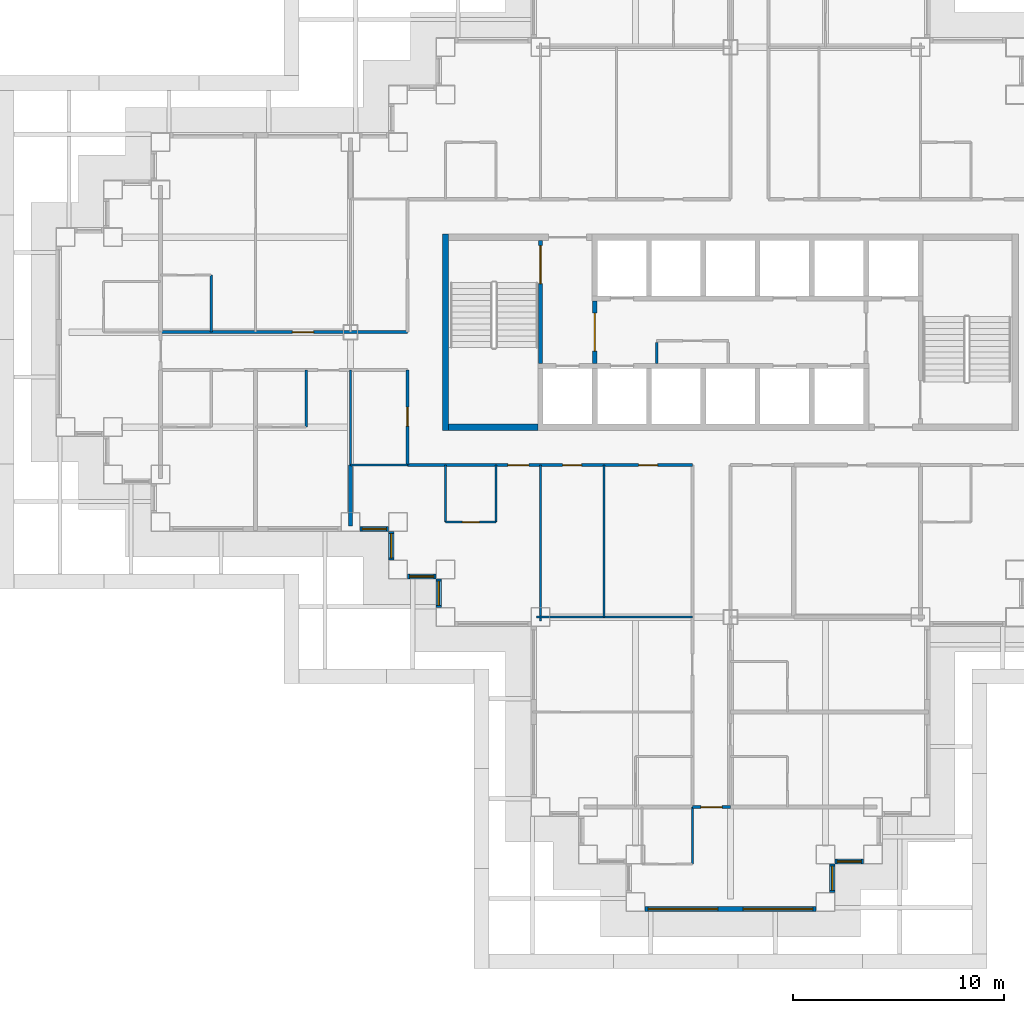
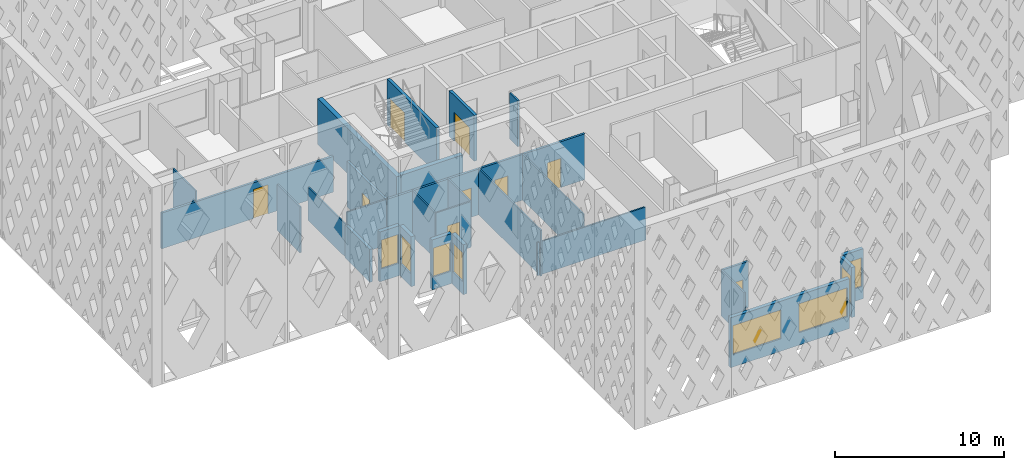
# One storey, part 3 of 21: 28 walls, 9 doors, 8 windows, 17 openings.
"""IFC4 building model written with IfcOpenShell, lengths in metres."""

from ifc_helpers import new_model, si_unit, direction, frame, frame_2d, origin, place, context, subcontext, project, spatial, rectangle, extrude, material, layer, layer_set, type_object, element, fill, save


model = new_model("IFC4")

# Units and contexts
model_context = context("Model", 3, precision=1e-05, world=origin(), true_north=direction((0.0, 1.0)))
body_context = subcontext(model_context, "Body", "Model", "MODEL_VIEW")
ifc_project = project(units=[si_unit("LENGTHUNIT", "METRE"), si_unit("AREAUNIT", "SQUARE_METRE"), si_unit("VOLUMEUNIT", "CUBIC_METRE"), si_unit("PLANEANGLEUNIT", "RADIAN"), si_unit("MASSUNIT", "GRAM", prefix="KILO")], contexts=[model_context])

# Site, building, storey
site_placement = place(None, origin())
site = spatial("IfcSite", under=ifc_project, at=site_placement, CompositionType="ELEMENT")
building_placement = place(site_placement, origin())
building = spatial("IfcBuilding", under=site, at=building_placement, Name="Caravel Reach Hotel and Residences", CompositionType="ELEMENT")
storey_placement = place(building_placement, frame((0.0, 0.0, 100.800048828125)))
storey = spatial("IfcBuildingStorey", under=building, at=storey_placement, Name="L24", CompositionType="ELEMENT", Elevation=100.800048828125)

# Wall, opening, door
ifc_material_1 = material(Name="Gypsum board on steel stud", Category="steel")
ifc_layer_1 = layer(ifc_material_1, 0.10009765625)
ifc_layer_set_1 = layer_set([ifc_layer_1], Name="Bathroom pod wall 100 mm")
wall_type_1 = type_object("IfcWallType", Name="Bathroom pod wall 100 mm", PredefinedType="PARTITIONING", material=ifc_layer_set_1)
wall_1_placement = place(storey_placement, frame((18.0, 18.0, 0.0), z_axis=(0.0, 0.0, 1.0), x_axis=(1.0, 0.0, 0.0)))
wall_1 = element("IfcWall", 1, at=wall_1_placement, inside=storey, type_object=wall_type_1, Name="L24 wall w083", PredefinedType="PARTITIONING", context=body_context, shape_type="SweptSolid", body=[
    extrude(rectangle(XDim=2.39990234375, YDim=0.10009765625, at=frame_2d((1.199951171875, 0.0))), origin(), (0.0, 0.0, 1.0), 3.300048828125),
])
opening_1_placement = place(wall_1_placement, frame((0.800048828125, 0.0, 0.0)))
opening_1 = element("IfcOpeningElement", 2, at=opening_1_placement, cuts=wall_1, Name="Opening D24-050", PredefinedType="OPENING", context=body_context, shape_type="SweptSolid", body=[
    extrude(rectangle(XDim=0.800048828125, YDim=2.10009765625, at=frame_2d((0.39990234375, 1.050048828125))), frame((0.0, 0.06005859375, 0.0), z_axis=(0.0, -1.0, 0.0), x_axis=(1.0, 0.0, 0.0)), (0.0, 0.0, 1.0), 0.1201171875),
])
ifc_material_2 = material(Name="Timber and steel door leaf", Category="steel")
door_type_1 = type_object("IfcDoorType", Name="Bathroom door 800 x 2100", OperationType="SINGLE_SWING_LEFT", PredefinedType="DOOR", material=ifc_material_2)
door_1_placement = place(opening_1_placement, origin())
door_1 = element("IfcDoor", 3, at=door_1_placement, inside=storey, type_object=door_type_1, Name="door D24-050", OperationType="SINGLE_SWING_LEFT", OverallHeight=2.10009765625, OverallWidth=0.800048828125, PredefinedType="DOOR", context=body_context, shape_type="SweptSolid", body=[
    extrude(rectangle(XDim=0.800048828125, YDim=2.10009765625, at=frame_2d((0.39990234375, 1.050048828125))), frame((0.0, 0.02490234375, 0.0), z_axis=(0.0, -1.0, 0.0), x_axis=(1.0, 0.0, 0.0)), (0.0, 0.0, 1.0), 0.050048828125),
])
fill(opening_1, door_1)

# Walls
for number, where, z_axis, x_axis, name in (
    (4, (11.39990234375, 22.5, 0.0), (0.0, 0.0, 1.0), (0.0, 1.0, 0.0), "L24 wall w099"),
    (5, (18.0, 18.0, 0.0), (0.0, 0.0, 1.0), (0.0, 1.0, 0.0), "L24 wall w101"),
    (6, (20.39990234375, 18.0, 0.0), (0.0, 0.0, 1.0), (0.0, 1.0, 0.0), "L24 wall w103"),
    (7, (29.699951171875, 1.800048828125, 0.0), (0.0, 0.0, 1.0), (0.0, 1.0, 0.0), "L24 wall w107"),
    (8, (6.89990234375, 27.0, 0.0), (0.0, 0.0, 1.0), (0.0, 1.0, 0.0), "L24 wall w116"),
):
    element("IfcWall", number, at=place(storey_placement, frame(where, z_axis=z_axis, x_axis=x_axis)), inside=storey, type_object=wall_type_1, Name=name, PredefinedType="PARTITIONING", context=body_context, shape_type="SweptSolid", body=[
        extrude(rectangle(XDim=2.699951171875, YDim=0.10009765625, at=frame_2d((1.35009765625, 0.0))), origin(), (0.0, 0.0, 1.0), 3.300048828125),
    ])
ifc_material_3 = material(Name="Concrete C60", Category="concrete")
ifc_layer_2 = layer(ifc_material_3, 0.300048828125)
ifc_layer_set_2 = layer_set([ifc_layer_2], Name="Core wall 300 mm EI 120")
wall_type_2 = type_object("IfcWallType", Name="Core wall 300 mm EI 120", PredefinedType="SHEAR", material=ifc_layer_set_2)
wall_2_placement = place(storey_placement, frame((18.14990234375, 22.5, 0.0), z_axis=(0.0, 0.0, 1.0), x_axis=(1.0, 0.0, 0.0)))
element("IfcWall", 9, at=wall_2_placement, inside=storey, type_object=wall_type_2, Name="L24 core wall S1", PredefinedType="SHEAR", context=body_context, shape_type="SweptSolid", body=[
    extrude(rectangle(XDim=4.22509765625, YDim=0.300048828125, at=frame_2d((2.112548828125, 0.0))), origin(), (0.0, 0.0, 1.0), 3.300048828125),
])
wall_3_placement = place(storey_placement, frame((18.0, 22.35009765625, 0.0), z_axis=(0.0, 0.0, 1.0), x_axis=(0.0, 1.0, 0.0)))
element("IfcWall", 10, at=wall_3_placement, inside=storey, type_object=wall_type_2, Name="L24 core wall W", PredefinedType="SHEAR", context=body_context, shape_type="SweptSolid", body=[
    extrude(rectangle(XDim=9.2998046875, YDim=0.300048828125, at=frame_2d((4.64990234375, 0.0))), origin(), (0.0, 0.0, 1.0), 3.300048828125),
])

# Wall, openings, doors
ifc_material_4 = material(Name="Gypsum board on steel stud, fire-rated", Category="steel")
ifc_layer_3 = layer(ifc_material_4, 0.14990234375)
ifc_layer_set_3 = layer_set([ifc_layer_3], Name="Corridor wall 150 mm EI 60")
wall_type_3 = type_object("IfcWallType", Name="Corridor wall 150 mm EI 60", PredefinedType="PARTITIONING", material=ifc_layer_set_3)
wall_4_placement = place(storey_placement, frame((16.199951171875, 20.699951171875, 0.0), z_axis=(0.0, 0.0, 1.0), x_axis=(1.0, 0.0, 0.0)))
wall_4 = element("IfcWall", 11, at=wall_4_placement, inside=storey, type_object=wall_type_3, Name="L24 wall w001", PredefinedType="PARTITIONING", context=body_context, shape_type="SweptSolid", body=[
    extrude(rectangle(XDim=13.5, YDim=0.14990234375, at=frame_2d((6.75, 0.0))), origin(), (0.0, 0.0, 1.0), 3.300048828125),
])
opening_2_placement = place(wall_4_placement, frame((4.75, 0.0, 0.0)))
opening_2 = element("IfcOpeningElement", 12, at=opening_2_placement, cuts=wall_4, Name="Opening D24-049", PredefinedType="OPENING", context=body_context, shape_type="SweptSolid", body=[
    extrude(rectangle(XDim=1.0, YDim=2.10009765625, at=frame_2d((0.5, 1.050048828125))), frame((0.0, 0.0849609375, 0.0), z_axis=(0.0, -1.0, 0.0), x_axis=(1.0, 0.0, 0.0)), (0.0, 0.0, 1.0), 0.169921875),
])
opening_3_placement = place(wall_4_placement, frame((7.35009765625, 0.0, 0.0)))
opening_3 = element("IfcOpeningElement", 13, at=opening_3_placement, cuts=wall_4, Name="Opening D24-057", PredefinedType="OPENING", context=body_context, shape_type="SweptSolid", body=[
    extrude(rectangle(XDim=0.89990234375, YDim=2.10009765625, at=frame_2d((0.449951171875, 1.050048828125))), frame((0.0, 0.0849609375, 0.0), z_axis=(0.0, -1.0, 0.0), x_axis=(1.0, 0.0, 0.0)), (0.0, 0.0, 1.0), 0.169921875),
])
opening_4_placement = place(wall_4_placement, frame((10.949951171875, 0.0, 0.0)))
opening_4 = element("IfcOpeningElement", 14, at=opening_4_placement, cuts=wall_4, Name="Opening D24-058", PredefinedType="OPENING", context=body_context, shape_type="SweptSolid", body=[
    extrude(rectangle(XDim=0.89990234375, YDim=2.10009765625, at=frame_2d((0.449951171875, 1.050048828125))), frame((0.0, 0.0849609375, 0.0), z_axis=(0.0, -1.0, 0.0), x_axis=(1.0, 0.0, 0.0)), (0.0, 0.0, 1.0), 0.169921875),
])
ifc_material_5 = material(Name="Timber and steel door leaf", Category="steel")
door_type_2 = type_object("IfcDoorType", Name="Door 900 x 2100 timber", OperationType="SINGLE_SWING_LEFT", PredefinedType="DOOR", material=ifc_material_5)
door_2_placement = place(opening_3_placement, origin())
door_2 = element("IfcDoor", 15, at=door_2_placement, inside=storey, type_object=door_type_2, Name="door D24-057", OperationType="SINGLE_SWING_LEFT", OverallHeight=2.10009765625, OverallWidth=0.89990234375, PredefinedType="DOOR", context=body_context, shape_type="SweptSolid", body=[
    extrude(rectangle(XDim=0.89990234375, YDim=2.10009765625, at=frame_2d((0.449951171875, 1.050048828125))), frame((0.0, 0.02490234375, 0.0), z_axis=(0.0, -1.0, 0.0), x_axis=(1.0, 0.0, 0.0)), (0.0, 0.0, 1.0), 0.050048828125),
])
fill(opening_3, door_2)
door_3_placement = place(opening_4_placement, origin())
door_3 = element("IfcDoor", 16, at=door_3_placement, inside=storey, type_object=door_type_2, Name="door D24-058", OperationType="SINGLE_SWING_LEFT", OverallHeight=2.10009765625, OverallWidth=0.89990234375, PredefinedType="DOOR", context=body_context, shape_type="SweptSolid", body=[
    extrude(rectangle(XDim=0.89990234375, YDim=2.10009765625, at=frame_2d((0.449951171875, 1.050048828125))), frame((0.0, 0.02490234375, 0.0), z_axis=(0.0, -1.0, 0.0), x_axis=(1.0, 0.0, 0.0)), (0.0, 0.0, 1.0), 0.050048828125),
])
fill(opening_4, door_3)
ifc_material_6 = material(Name="Steel fire door leaf", Category="steel")
door_type_3 = type_object("IfcDoorType", Name="Guest room door 1000 x 2100 EI 30", OperationType="SINGLE_SWING_LEFT", PredefinedType="DOOR", material=ifc_material_6)
door_4_placement = place(opening_2_placement, origin())
door_4 = element("IfcDoor", 17, at=door_4_placement, inside=storey, type_object=door_type_3, Name="door D24-049", OperationType="SINGLE_SWING_RIGHT", OverallHeight=2.10009765625, OverallWidth=1.0, PredefinedType="DOOR", context=body_context, shape_type="SweptSolid", body=[
    extrude(rectangle(XDim=1.0, YDim=2.10009765625, at=frame_2d((0.5, 1.050048828125))), frame((0.0, 0.02490234375, 0.0), z_axis=(0.0, -1.0, 0.0), x_axis=(1.0, 0.0, 0.0)), (0.0, 0.0, 1.0), 0.050048828125),
])
fill(opening_2, door_4)

# Wall, opening, door
wall_5_placement = place(storey_placement, frame((4.5, 27.0, 0.0), z_axis=(0.0, 0.0, 1.0), x_axis=(1.0, 0.0, 0.0)))
wall_5 = element("IfcWall", 18, at=wall_5_placement, inside=storey, type_object=wall_type_3, Name="L24 wall w013", PredefinedType="PARTITIONING", context=body_context, shape_type="SweptSolid", body=[
    extrude(rectangle(XDim=11.699951171875, YDim=0.14990234375, at=frame_2d((5.85009765625, 0.0))), origin(), (0.0, 0.0, 1.0), 2.579833984375),
])
opening_5_placement = place(wall_5_placement, frame((6.25, 0.0, 0.0)))
opening_5 = element("IfcOpeningElement", 19, at=opening_5_placement, cuts=wall_5, Name="Opening D24-019", PredefinedType="OPENING", context=body_context, shape_type="SweptSolid", body=[
    extrude(rectangle(XDim=1.0, YDim=2.10009765625, at=frame_2d((0.5, 1.050048828125))), frame((0.0, 0.0849609375, 0.0), z_axis=(0.0, -1.0, 0.0), x_axis=(1.0, 0.0, 0.0)), (0.0, 0.0, 1.0), 0.169921875),
])
door_5_placement = place(opening_5_placement, origin())
door_5 = element("IfcDoor", 20, at=door_5_placement, inside=storey, type_object=door_type_3, Name="door D24-019", OperationType="SINGLE_SWING_LEFT", OverallHeight=2.10009765625, OverallWidth=1.0, PredefinedType="DOOR", context=body_context, shape_type="SweptSolid", body=[
    extrude(rectangle(XDim=1.0, YDim=2.10009765625, at=frame_2d((0.5, 1.050048828125))), frame((0.0, 0.02490234375, 0.0), z_axis=(0.0, -1.0, 0.0), x_axis=(1.0, 0.0, 0.0)), (0.0, 0.0, 1.0), 0.050048828125),
])
fill(opening_5, door_5)

wall_6_placement = place(storey_placement, frame((29.699951171875, 4.5, 0.0), z_axis=(0.0, 0.0, 1.0), x_axis=(1.0, 0.0, 0.0)))
wall_6 = element("IfcWall", 21, at=wall_6_placement, inside=storey, type_object=wall_type_3, Name="L24 wall w024", PredefinedType="PARTITIONING", context=body_context, shape_type="SweptSolid", body=[
    extrude(rectangle(XDim=1.800048828125, YDim=0.14990234375, at=frame_2d((0.89990234375, 0.0))), origin(), (0.0, 0.0, 1.0), 3.300048828125),
])
opening_6_placement = place(wall_6_placement, frame((0.39990234375, 0.0, 0.0)))
opening_6 = element("IfcOpeningElement", 22, at=opening_6_placement, cuts=wall_6, Name="Opening D24-043", PredefinedType="OPENING", context=body_context, shape_type="SweptSolid", body=[
    extrude(rectangle(XDim=1.0, YDim=2.10009765625, at=frame_2d((0.5, 1.050048828125))), frame((0.0, 0.0849609375, 0.0), z_axis=(0.0, -1.0, 0.0), x_axis=(1.0, 0.0, 0.0)), (0.0, 0.0, 1.0), 0.169921875),
])
door_6_placement = place(opening_6_placement, origin())
door_6 = element("IfcDoor", 23, at=door_6_placement, inside=storey, type_object=door_type_3, Name="door D24-043", OperationType="SINGLE_SWING_RIGHT", OverallHeight=2.10009765625, OverallWidth=1.0, PredefinedType="DOOR", context=body_context, shape_type="SweptSolid", body=[
    extrude(rectangle(XDim=1.0, YDim=2.10009765625, at=frame_2d((0.5, 1.050048828125))), frame((0.0, 0.02490234375, 0.0), z_axis=(0.0, -1.0, 0.0), x_axis=(1.0, 0.0, 0.0)), (0.0, 0.0, 1.0), 0.050048828125),
])
fill(opening_6, door_6)

wall_7_placement = place(storey_placement, frame((16.199951171875, 20.699951171875, 0.0), z_axis=(0.0, 0.0, 1.0), x_axis=(0.0, 1.0, 0.0)))
wall_7 = element("IfcWall", 24, at=wall_7_placement, inside=storey, type_object=wall_type_3, Name="L24 wall w027", PredefinedType="PARTITIONING", context=body_context, shape_type="SweptSolid", body=[
    extrude(rectangle(XDim=4.5, YDim=0.14990234375, at=frame_2d((2.25, 0.0))), origin(), (0.0, 0.0, 1.0), 3.300048828125),
])
opening_7_placement = place(wall_7_placement, frame((1.85009765625, 0.0, 0.0)))
opening_7 = element("IfcOpeningElement", 25, at=opening_7_placement, cuts=wall_7, Name="Opening D24-061", PredefinedType="OPENING", context=body_context, shape_type="SweptSolid", body=[
    extrude(rectangle(XDim=0.89990234375, YDim=2.10009765625, at=frame_2d((0.449951171875, 1.050048828125))), frame((0.0, 0.0849609375, 0.0), z_axis=(0.0, -1.0, 0.0), x_axis=(1.0, 0.0, 0.0)), (0.0, 0.0, 1.0), 0.169921875),
])
door_7_placement = place(opening_7_placement, origin())
door_7 = element("IfcDoor", 26, at=door_7_placement, inside=storey, type_object=door_type_2, Name="door D24-061", OperationType="SINGLE_SWING_RIGHT", OverallHeight=2.10009765625, OverallWidth=0.89990234375, PredefinedType="DOOR", context=body_context, shape_type="SweptSolid", body=[
    extrude(rectangle(XDim=0.89990234375, YDim=2.10009765625, at=frame_2d((0.449951171875, 1.050048828125))), frame((0.0, 0.02490234375, 0.0), z_axis=(0.0, -1.0, 0.0), x_axis=(1.0, 0.0, 0.0)), (0.0, 0.0, 1.0), 0.050048828125),
])
fill(opening_7, door_7)

# Wall, openings, windows
ifc_material_7 = material(Name="Insulated rainscreen wall, aluminium cladding", Category="aluminium")
ifc_layer_4 = layer(ifc_material_7, 0.25)
ifc_layer_set_4 = layer_set([ifc_layer_4], Name="EW1 Tower rainscreen wall")
wall_type_4 = type_object("IfcWallType", Name="EW1 Tower rainscreen wall", PredefinedType="SOLIDWALL", material=ifc_layer_set_4)
wall_8_placement = place(storey_placement, frame((27.449951171875, -0.324951171875, 0.0), z_axis=(0.0, 0.0, 1.0), x_axis=(1.0, 0.0, 0.0)))
wall_8 = element("IfcWall", 27, at=wall_8_placement, inside=storey, type_object=wall_type_4, Name="External wall L24 S5.1", PredefinedType="SOLIDWALL", context=body_context, shape_type="SweptSolid", body=[
    extrude(rectangle(XDim=8.10009765625, YDim=0.25, at=frame_2d((4.050048828125, 0.0))), origin(), (0.0, 0.0, 1.0), 3.599853515625),
])
opening_8_placement = place(wall_8_placement, frame((0.14990234375, 0.0, 0.89990234375)))
opening_8 = element("IfcOpeningElement", 28, at=opening_8_placement, cuts=wall_8, Name="Opening WN4", PredefinedType="OPENING", context=body_context, shape_type="SweptSolid", body=[
    extrude(rectangle(XDim=3.300048828125, YDim=2.080078125, at=frame_2d((1.64990234375, 1.0400390625))), frame((0.0, 0.135009765625, 0.0), z_axis=(0.0, -1.0, 0.0), x_axis=(1.0, 0.0, 0.0)), (0.0, 0.0, 1.0), 0.27001953125),
])
opening_9_placement = place(wall_8_placement, frame((4.64990234375, 0.0, 0.89990234375)))
opening_9 = element("IfcOpeningElement", 29, at=opening_9_placement, cuts=wall_8, Name="Opening WN4", PredefinedType="OPENING", context=body_context, shape_type="SweptSolid", body=[
    extrude(rectangle(XDim=3.300048828125, YDim=2.080078125, at=frame_2d((1.64990234375, 1.0400390625))), frame((0.0, 0.135009765625, 0.0), z_axis=(0.0, -1.0, 0.0), x_axis=(1.0, 0.0, 0.0)), (0.0, 0.0, 1.0), 0.27001953125),
])
ifc_material_8 = material(Name="Dark low-e glazing in black aluminium frame", Category="aluminium")
window_type_1 = type_object("IfcWindowType", Name="Hotel guest room window 3300 x 2080", PartitioningType="SINGLE_PANEL", PredefinedType="WINDOW", material=ifc_material_8)
window_1_placement = place(opening_8_placement, origin())
window_1 = element("IfcWindow", 30, at=window_1_placement, inside=storey, type_object=window_type_1, Name="Window L24 S5.1.1", OverallHeight=2.080078125, OverallWidth=3.300048828125, PartitioningType="SINGLE_PANEL", PredefinedType="WINDOW", context=body_context, shape_type="SweptSolid", body=[
    extrude(rectangle(XDim=3.300048828125, YDim=2.080078125, at=frame_2d((1.64990234375, 1.0400390625))), frame((0.0, 0.030029296875, 0.0), z_axis=(0.0, -1.0, 0.0), x_axis=(1.0, 0.0, 0.0)), (0.0, 0.0, 1.0), 0.06005859375),
])
fill(opening_8, window_1)
window_2_placement = place(opening_9_placement, origin())
window_2 = element("IfcWindow", 31, at=window_2_placement, inside=storey, type_object=window_type_1, Name="Window L24 S5.1.2", OverallHeight=2.080078125, OverallWidth=3.300048828125, PartitioningType="SINGLE_PANEL", PredefinedType="WINDOW", context=body_context, shape_type="SweptSolid", body=[
    extrude(rectangle(XDim=3.300048828125, YDim=2.080078125, at=frame_2d((1.64990234375, 1.0400390625))), frame((0.0, 0.030029296875, 0.0), z_axis=(0.0, -1.0, 0.0), x_axis=(1.0, 0.0, 0.0)), (0.0, 0.0, 1.0), 0.06005859375),
])
fill(opening_9, window_2)

# Wall, opening, window
wall_9_placement = place(storey_placement, frame((36.324951171875, 0.449951171875, 0.0), z_axis=(0.0, 0.0, 1.0), x_axis=(0.0, 1.0, 0.0)))
wall_9 = element("IfcWall", 32, at=wall_9_placement, inside=storey, type_object=wall_type_4, Name="External wall L24 E6.1", PredefinedType="SOLIDWALL", context=body_context, shape_type="SweptSolid", body=[
    extrude(rectangle(XDim=1.35009765625, YDim=0.25, at=frame_2d((0.675048828125, 0.0))), origin(), (0.0, 0.0, 1.0), 3.599853515625),
])
opening_10_placement = place(wall_9_placement, frame((0.10009765625, 0.0, 0.89990234375)))
opening_10 = element("IfcOpeningElement", 33, at=opening_10_placement, cuts=wall_9, Name="Opening WN8", PredefinedType="OPENING", context=body_context, shape_type="SweptSolid", body=[
    extrude(rectangle(XDim=1.14990234375, YDim=2.080078125, at=frame_2d((0.574951171875, 1.0400390625))), frame((0.0, 0.135009765625, 0.0), z_axis=(0.0, -1.0, 0.0), x_axis=(1.0, 0.0, 0.0)), (0.0, 0.0, 1.0), 0.27001953125),
])
ifc_material_9 = material(Name="Dark low-e glazing in black aluminium frame", Category="aluminium")
window_type_2 = type_object("IfcWindowType", Name="Hotel suite corner window 1150 x 2080", PartitioningType="SINGLE_PANEL", PredefinedType="WINDOW", material=ifc_material_9)
window_3_placement = place(opening_10_placement, origin())
window_3 = element("IfcWindow", 34, at=window_3_placement, inside=storey, type_object=window_type_2, Name="Window L24 E6.1.1", OverallHeight=2.080078125, OverallWidth=1.14990234375, PartitioningType="SINGLE_PANEL", PredefinedType="WINDOW", context=body_context, shape_type="SweptSolid", body=[
    extrude(rectangle(XDim=1.14990234375, YDim=2.080078125, at=frame_2d((0.574951171875, 1.0400390625))), frame((0.0, 0.030029296875, 0.0), z_axis=(0.0, -1.0, 0.0), x_axis=(1.0, 0.0, 0.0)), (0.0, 0.0, 1.0), 0.06005859375),
])
fill(opening_10, window_3)

wall_10_placement = place(storey_placement, frame((36.449951171875, 1.925048828125, 0.0), z_axis=(0.0, 0.0, 1.0), x_axis=(1.0, 0.0, 0.0)))
wall_10 = element("IfcWall", 35, at=wall_10_placement, inside=storey, type_object=wall_type_4, Name="External wall L24 S7.1", PredefinedType="SOLIDWALL", context=body_context, shape_type="SweptSolid", body=[
    extrude(rectangle(XDim=1.35009765625, YDim=0.25, at=frame_2d((0.675048828125, 0.0))), origin(), (0.0, 0.0, 1.0), 3.599853515625),
])
opening_11_placement = place(wall_10_placement, frame((0.10009765625, 0.0, 0.89990234375)))
opening_11 = element("IfcOpeningElement", 36, at=opening_11_placement, cuts=wall_10, Name="Opening WN8", PredefinedType="OPENING", context=body_context, shape_type="SweptSolid", body=[
    extrude(rectangle(XDim=1.14990234375, YDim=2.080078125, at=frame_2d((0.574951171875, 1.0400390625))), frame((0.0, 0.135009765625, 0.0), z_axis=(0.0, -1.0, 0.0), x_axis=(1.0, 0.0, 0.0)), (0.0, 0.0, 1.0), 0.27001953125),
])
window_4_placement = place(opening_11_placement, origin())
window_4 = element("IfcWindow", 37, at=window_4_placement, inside=storey, type_object=window_type_2, Name="Window L24 S7.1.1", OverallHeight=2.080078125, OverallWidth=1.14990234375, PartitioningType="SINGLE_PANEL", PredefinedType="WINDOW", context=body_context, shape_type="SweptSolid", body=[
    extrude(rectangle(XDim=1.14990234375, YDim=2.080078125, at=frame_2d((0.574951171875, 1.0400390625))), frame((0.0, 0.030029296875, 0.0), z_axis=(0.0, -1.0, 0.0), x_axis=(1.0, 0.0, 0.0)), (0.0, 0.0, 1.0), 0.06005859375),
])
fill(opening_11, window_4)

wall_11_placement = place(storey_placement, frame((13.949951171875, 17.675048828125, 0.0), z_axis=(0.0, 0.0, 1.0), x_axis=(1.0, 0.0, 0.0)))
wall_11 = element("IfcWall", 38, at=wall_11_placement, inside=storey, type_object=wall_type_4, Name="External wall L24 S55.2", PredefinedType="SOLIDWALL", context=body_context, shape_type="SweptSolid", body=[
    extrude(rectangle(XDim=1.35009765625, YDim=0.25, at=frame_2d((0.675048828125, 0.0))), origin(), (0.0, 0.0, 1.0), 3.599853515625),
])
opening_12_placement = place(wall_11_placement, frame((0.10009765625, 0.0, 0.89990234375)))
opening_12 = element("IfcOpeningElement", 39, at=opening_12_placement, cuts=wall_11, Name="Opening WN8", PredefinedType="OPENING", context=body_context, shape_type="SweptSolid", body=[
    extrude(rectangle(XDim=1.14990234375, YDim=2.080078125, at=frame_2d((0.574951171875, 1.0400390625))), frame((0.0, 0.135009765625, 0.0), z_axis=(0.0, -1.0, 0.0), x_axis=(1.0, 0.0, 0.0)), (0.0, 0.0, 1.0), 0.27001953125),
])
window_5_placement = place(opening_12_placement, origin())
window_5 = element("IfcWindow", 40, at=window_5_placement, inside=storey, type_object=window_type_2, Name="Window L24 S55.2.1", OverallHeight=2.080078125, OverallWidth=1.14990234375, PartitioningType="SINGLE_PANEL", PredefinedType="WINDOW", context=body_context, shape_type="SweptSolid", body=[
    extrude(rectangle(XDim=1.14990234375, YDim=2.080078125, at=frame_2d((0.574951171875, 1.0400390625))), frame((0.0, 0.030029296875, 0.0), z_axis=(0.0, -1.0, 0.0), x_axis=(1.0, 0.0, 0.0)), (0.0, 0.0, 1.0), 0.06005859375),
])
fill(opening_12, window_5)

wall_12_placement = place(storey_placement, frame((15.425048828125, 17.550048828125, 0.0), z_axis=(0.0, 0.0, 1.0), x_axis=(0.0, -1.0, 0.0)))
wall_12 = element("IfcWall", 41, at=wall_12_placement, inside=storey, type_object=wall_type_4, Name="External wall L24 W56.1", PredefinedType="SOLIDWALL", context=body_context, shape_type="SweptSolid", body=[
    extrude(rectangle(XDim=1.35009765625, YDim=0.25, at=frame_2d((0.675048828125, 0.0))), origin(), (0.0, 0.0, 1.0), 3.599853515625),
])
opening_13_placement = place(wall_12_placement, frame((0.10009765625, 0.0, 0.89990234375)))
opening_13 = element("IfcOpeningElement", 42, at=opening_13_placement, cuts=wall_12, Name="Opening WN8", PredefinedType="OPENING", context=body_context, shape_type="SweptSolid", body=[
    extrude(rectangle(XDim=1.14990234375, YDim=2.080078125, at=frame_2d((0.574951171875, 1.0400390625))), frame((0.0, 0.135009765625, 0.0), z_axis=(0.0, -1.0, 0.0), x_axis=(1.0, 0.0, 0.0)), (0.0, 0.0, 1.0), 0.27001953125),
])
window_6_placement = place(opening_13_placement, origin())
window_6 = element("IfcWindow", 43, at=window_6_placement, inside=storey, type_object=window_type_2, Name="Window L24 W56.1.1", OverallHeight=2.080078125, OverallWidth=1.14990234375, PartitioningType="SINGLE_PANEL", PredefinedType="WINDOW", context=body_context, shape_type="SweptSolid", body=[
    extrude(rectangle(XDim=1.14990234375, YDim=2.080078125, at=frame_2d((0.574951171875, 1.0400390625))), frame((0.0, 0.030029296875, 0.0), z_axis=(0.0, -1.0, 0.0), x_axis=(1.0, 0.0, 0.0)), (0.0, 0.0, 1.0), 0.06005859375),
])
fill(opening_13, window_6)

wall_13_placement = place(storey_placement, frame((16.199951171875, 15.425048828125, 0.0), z_axis=(0.0, 0.0, 1.0), x_axis=(1.0, 0.0, 0.0)))
wall_13 = element("IfcWall", 44, at=wall_13_placement, inside=storey, type_object=wall_type_4, Name="External wall L24 S57.1", PredefinedType="SOLIDWALL", context=body_context, shape_type="SweptSolid", body=[
    extrude(rectangle(XDim=1.35009765625, YDim=0.25, at=frame_2d((0.675048828125, 0.0))), origin(), (0.0, 0.0, 1.0), 3.599853515625),
])
opening_14_placement = place(wall_13_placement, frame((0.10009765625, 0.0, 0.89990234375)))
opening_14 = element("IfcOpeningElement", 45, at=opening_14_placement, cuts=wall_13, Name="Opening WN8", PredefinedType="OPENING", context=body_context, shape_type="SweptSolid", body=[
    extrude(rectangle(XDim=1.14990234375, YDim=2.080078125, at=frame_2d((0.574951171875, 1.0400390625))), frame((0.0, 0.135009765625, 0.0), z_axis=(0.0, -1.0, 0.0), x_axis=(1.0, 0.0, 0.0)), (0.0, 0.0, 1.0), 0.27001953125),
])
window_7_placement = place(opening_14_placement, origin())
window_7 = element("IfcWindow", 46, at=window_7_placement, inside=storey, type_object=window_type_2, Name="Window L24 S57.1.1", OverallHeight=2.080078125, OverallWidth=1.14990234375, PartitioningType="SINGLE_PANEL", PredefinedType="WINDOW", context=body_context, shape_type="SweptSolid", body=[
    extrude(rectangle(XDim=1.14990234375, YDim=2.080078125, at=frame_2d((0.574951171875, 1.0400390625))), frame((0.0, 0.030029296875, 0.0), z_axis=(0.0, -1.0, 0.0), x_axis=(1.0, 0.0, 0.0)), (0.0, 0.0, 1.0), 0.06005859375),
])
fill(opening_14, window_7)

wall_14_placement = place(storey_placement, frame((17.675048828125, 15.300048828125, 0.0), z_axis=(0.0, 0.0, 1.0), x_axis=(0.0, -1.0, 0.0)))
wall_14 = element("IfcWall", 47, at=wall_14_placement, inside=storey, type_object=wall_type_4, Name="External wall L24 W58.1", PredefinedType="SOLIDWALL", context=body_context, shape_type="SweptSolid", body=[
    extrude(rectangle(XDim=1.35009765625, YDim=0.25, at=frame_2d((0.675048828125, 0.0))), origin(), (0.0, 0.0, 1.0), 3.599853515625),
])
opening_15_placement = place(wall_14_placement, frame((0.10009765625, 0.0, 0.89990234375)))
opening_15 = element("IfcOpeningElement", 48, at=opening_15_placement, cuts=wall_14, Name="Opening WN8", PredefinedType="OPENING", context=body_context, shape_type="SweptSolid", body=[
    extrude(rectangle(XDim=1.14990234375, YDim=2.080078125, at=frame_2d((0.574951171875, 1.0400390625))), frame((0.0, 0.135009765625, 0.0), z_axis=(0.0, -1.0, 0.0), x_axis=(1.0, 0.0, 0.0)), (0.0, 0.0, 1.0), 0.27001953125),
])
window_8_placement = place(opening_15_placement, origin())
window_8 = element("IfcWindow", 49, at=window_8_placement, inside=storey, type_object=window_type_2, Name="Window L24 W58.1.1", OverallHeight=2.080078125, OverallWidth=1.14990234375, PartitioningType="SINGLE_PANEL", PredefinedType="WINDOW", context=body_context, shape_type="SweptSolid", body=[
    extrude(rectangle(XDim=1.14990234375, YDim=2.080078125, at=frame_2d((0.574951171875, 1.0400390625))), frame((0.0, 0.030029296875, 0.0), z_axis=(0.0, -1.0, 0.0), x_axis=(1.0, 0.0, 0.0)), (0.0, 0.0, 1.0), 0.06005859375),
])
fill(opening_15, window_8)

# Wall, opening, door
ifc_material_10 = material(Name="Autoclaved aerated block wall")
ifc_layer_5 = layer(ifc_material_10, 0.199951171875)
ifc_layer_set_5 = layer_set([ifc_layer_5], Name="Fire lobby wall 200 mm EI 120")
wall_type_5 = type_object("IfcWallType", Name="Fire lobby wall 200 mm EI 120", PredefinedType="PARTITIONING", material=ifc_layer_set_5)
wall_15_placement = place(storey_placement, frame((25.071533203125, 25.52490234375, 0.0), z_axis=(0.0, 0.0, 1.0), x_axis=(0.0, 1.0, 0.0)))
wall_15 = element("IfcWall", 50, at=wall_15_placement, inside=storey, type_object=wall_type_5, Name="L24 lobby W wall", PredefinedType="PARTITIONING", context=body_context, shape_type="SweptSolid", body=[
    extrude(rectangle(XDim=2.9501953125, YDim=0.199951171875, at=frame_2d((1.47509765625, 0.0))), origin(), (0.0, 0.0, 1.0), 3.300048828125),
])
opening_16_placement = place(wall_15_placement, frame((0.574951171875, 0.0, 0.0)))
opening_16 = element("IfcOpeningElement", 51, at=opening_16_placement, cuts=wall_15, Name="Opening D24-011", PredefinedType="OPENING", context=body_context, shape_type="SweptSolid", body=[
    extrude(rectangle(XDim=1.800048828125, YDim=2.10009765625, at=frame_2d((0.89990234375, 1.050048828125))), frame((0.0, 0.10986328125, 0.0), z_axis=(0.0, -1.0, 0.0), x_axis=(1.0, 0.0, 0.0)), (0.0, 0.0, 1.0), 0.219970703125),
])
ifc_material_11 = material(Name="Steel fire door leaf", Category="steel")
door_type_4 = type_object("IfcDoorType", Name="Fire lobby door pair 1800 x 2100 EI 90", OperationType="DOUBLE_DOOR_SINGLE_SWING", PredefinedType="DOOR", material=ifc_material_11)
door_8_placement = place(opening_16_placement, origin())
door_8 = element("IfcDoor", 52, at=door_8_placement, inside=storey, type_object=door_type_4, Name="lobby W door pair", OperationType="DOUBLE_DOOR_SINGLE_SWING", OverallHeight=2.10009765625, OverallWidth=1.800048828125, PredefinedType="DOOR", context=body_context, shape_type="SweptSolid", body=[
    extrude(rectangle(XDim=1.800048828125, YDim=2.10009765625, at=frame_2d((0.89990234375, 1.050048828125))), frame((0.0, 0.02490234375, 0.0), z_axis=(0.0, -1.0, 0.0), x_axis=(1.0, 0.0, 0.0)), (0.0, 0.0, 1.0), 0.050048828125),
])
fill(opening_16, door_8)

# Walls
ifc_material_12 = material(Name="Gypsum board on steel stud", Category="steel")
ifc_layer_6 = layer(ifc_material_12, 0.10009765625)
ifc_layer_set_6 = layer_set([ifc_layer_6], Name="Partition 100 mm")
wall_type_6 = type_object("IfcWallType", Name="Partition 100 mm", PredefinedType="PARTITIONING", material=ifc_layer_set_6)
wall_16_placement = place(storey_placement, frame((22.31005859375, 13.5, 0.0), z_axis=(0.0, 0.0, 1.0), x_axis=(1.0, 0.0, 0.0)))
element("IfcWall", 53, at=wall_16_placement, inside=storey, type_object=wall_type_6, Name="L24 wall w043", PredefinedType="PARTITIONING", context=body_context, shape_type="SweptSolid", body=[
    extrude(rectangle(XDim=7.389892578125, YDim=0.10009765625, at=frame_2d((3.69482421875, 0.0))), origin(), (0.0, 0.0, 1.0), 2.3798828125),
])
wall_17_placement = place(storey_placement, frame((13.5, 20.699951171875, 0.0), z_axis=(0.0, 0.0, 1.0), x_axis=(1.0, 0.0, 0.0)))
element("IfcWall", 54, at=wall_17_placement, inside=storey, type_object=wall_type_6, Name="L24 wall w045", PredefinedType="PARTITIONING", context=body_context, shape_type="SweptSolid", body=[
    extrude(rectangle(XDim=2.699951171875, YDim=0.10009765625, at=frame_2d((1.35009765625, 0.0))), origin(), (0.0, 0.0, 1.0), 3.300048828125),
])
wall_18_placement = place(storey_placement, frame((13.5, 20.699951171875, 0.0), z_axis=(0.0, 0.0, 1.0), x_axis=(0.0, 1.0, 0.0)))
element("IfcWall", 55, at=wall_18_placement, inside=storey, type_object=wall_type_6, Name="L24 wall w056", PredefinedType="PARTITIONING", context=body_context, shape_type="SweptSolid", body=[
    extrude(rectangle(XDim=4.5, YDim=0.10009765625, at=frame_2d((2.25, 0.0))), origin(), (0.0, 0.0, 1.0), 2.3798828125),
])
wall_19_placement = place(storey_placement, frame((22.5, 13.31005859375, 0.0), z_axis=(0.0, 0.0, 1.0), x_axis=(0.0, 1.0, 0.0)))
element("IfcWall", 56, at=wall_19_placement, inside=storey, type_object=wall_type_6, Name="L24 wall w059", PredefinedType="PARTITIONING", context=body_context, shape_type="SweptSolid", body=[
    extrude(rectangle(XDim=7.389892578125, YDim=0.10009765625, at=frame_2d((3.69482421875, 0.0))), origin(), (0.0, 0.0, 1.0), 3.300048828125),
])
wall_20_placement = place(storey_placement, frame((25.5, 13.5, 0.0), z_axis=(0.0, 0.0, 1.0), x_axis=(0.0, 1.0, 0.0)))
element("IfcWall", 57, at=wall_20_placement, inside=storey, type_object=wall_type_6, Name="L24 wall w060", PredefinedType="PARTITIONING", context=body_context, shape_type="SweptSolid", body=[
    extrude(rectangle(XDim=7.199951171875, YDim=0.10009765625, at=frame_2d((3.60009765625, 0.0))), origin(), (0.0, 0.0, 1.0), 3.300048828125),
])
ifc_material_13 = material(Name="Autoclaved aerated block wall")
ifc_layer_7 = layer(ifc_material_13, 0.199951171875)
ifc_layer_set_7 = layer_set([ifc_layer_7], Name="Party wall 200 mm EI 60")
wall_type_7 = type_object("IfcWallType", Name="Party wall 200 mm EI 60", PredefinedType="PARTITIONING", material=ifc_layer_set_7)
wall_21_placement = place(storey_placement, frame((13.5, 17.81005859375, 0.0), z_axis=(0.0, 0.0, 1.0), x_axis=(0.0, 1.0, 0.0)))
element("IfcWall", 58, at=wall_21_placement, inside=storey, type_object=wall_type_7, Name="L24 wall w074", PredefinedType="PARTITIONING", context=body_context, shape_type="SweptSolid", body=[
    extrude(rectangle(XDim=2.889892578125, YDim=0.199951171875, at=frame_2d((1.44482421875, 0.0))), origin(), (0.0, 0.0, 1.0), 2.3798828125),
])
ifc_material_14 = material(Name="Autoclaved aerated block wall")
ifc_layer_8 = layer(ifc_material_14, 0.125)
ifc_layer_set_8 = layer_set([ifc_layer_8], Name="Riser wall 125 mm EI 60")
wall_type_8 = type_object("IfcWallType", Name="Riser wall 125 mm EI 60", PredefinedType="PARTITIONING", material=ifc_layer_set_8)
wall_22_placement = place(storey_placement, frame((28.0, 25.52490234375, 0.0), z_axis=(0.0, 0.0, 1.0), x_axis=(0.0, 1.0, 0.0)))
element("IfcWall", 59, at=wall_22_placement, inside=storey, type_object=wall_type_8, Name="L24 service room partition S1", PredefinedType="PARTITIONING", context=body_context, shape_type="SweptSolid", body=[
    extrude(rectangle(XDim=0.97509765625, YDim=0.125, at=frame_2d((0.487548828125, 0.0))), origin(), (0.0, 0.0, 1.0), 3.300048828125),
])

# Wall, opening, door
ifc_material_15 = material(Name="Concrete C60", Category="concrete")
ifc_layer_9 = layer(ifc_material_15, 0.199951171875)
ifc_layer_set_9 = layer_set([ifc_layer_9], Name="Stair enclosure wall 200 mm EI 120")
wall_type_9 = type_object("IfcWallType", Name="Stair enclosure wall 200 mm EI 120", PredefinedType="SHEAR", material=ifc_layer_set_9)
wall_23_placement = place(storey_placement, frame((22.5, 31.35009765625, 0.0), z_axis=(0.0, 0.0, 1.0), x_axis=(0.0, -1.0, 0.0)))
wall_23 = element("IfcWall", 60, at=wall_23_placement, inside=storey, type_object=wall_type_9, Name="L24 stair A wall", PredefinedType="SHEAR", context=body_context, shape_type="SweptSolid", body=[
    extrude(rectangle(XDim=5.8251953125, YDim=0.199951171875, at=frame_2d((2.91259765625, 0.0))), origin(), (0.0, 0.0, 1.0), 3.300048828125),
])
opening_17_placement = place(wall_23_placement, frame((0.25, 0.0, 0.0)))
opening_17 = element("IfcOpeningElement", 61, at=opening_17_placement, cuts=wall_23, Name="Opening D24-009", PredefinedType="OPENING", context=body_context, shape_type="SweptSolid", body=[
    extrude(rectangle(XDim=1.800048828125, YDim=2.10009765625, at=frame_2d((0.89990234375, 1.050048828125))), frame((0.0, 0.10986328125, 0.0), z_axis=(0.0, -1.0, 0.0), x_axis=(1.0, 0.0, 0.0)), (0.0, 0.0, 1.0), 0.219970703125),
])
ifc_material_16 = material(Name="Steel fire door leaf", Category="steel")
door_type_5 = type_object("IfcDoorType", Name="Stair door pair 1800 x 2100 EI 90", OperationType="DOUBLE_DOOR_SINGLE_SWING", PredefinedType="DOOR", material=ifc_material_16)
door_9_placement = place(opening_17_placement, origin())
door_9 = element("IfcDoor", 62, at=door_9_placement, inside=storey, type_object=door_type_5, Name="stair A door pair", OperationType="DOUBLE_DOOR_SINGLE_SWING", OverallHeight=2.10009765625, OverallWidth=1.800048828125, PredefinedType="DOOR", context=body_context, shape_type="SweptSolid", body=[
    extrude(rectangle(XDim=1.800048828125, YDim=2.10009765625, at=frame_2d((0.89990234375, 1.050048828125))), frame((0.0, 0.02490234375, 0.0), z_axis=(0.0, -1.0, 0.0), x_axis=(1.0, 0.0, 0.0)), (0.0, 0.0, 1.0), 0.050048828125),
])
fill(opening_17, door_9)

save(model, "model.ifc")
